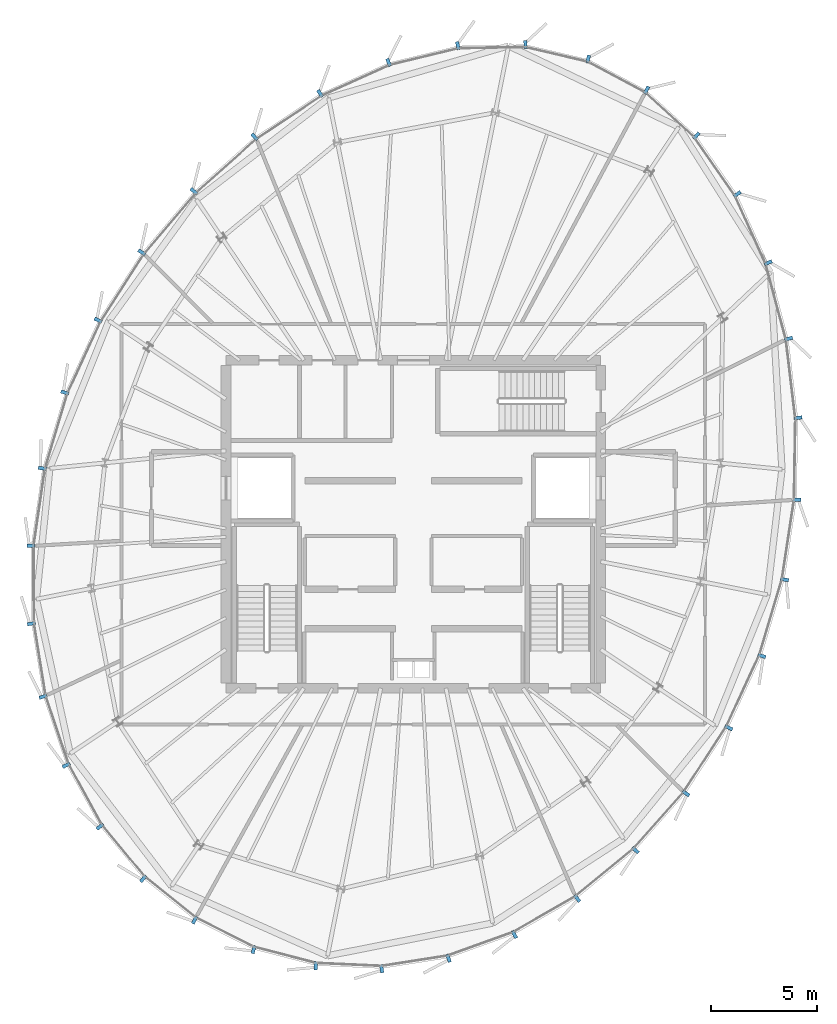
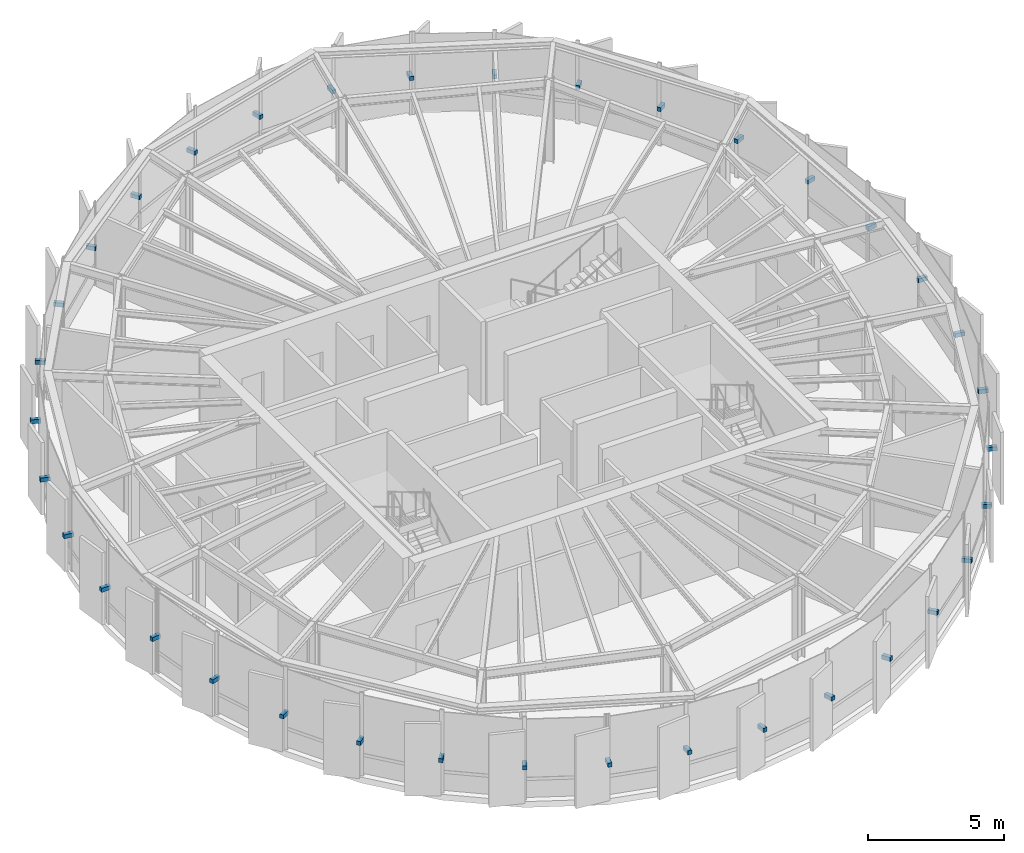
# One storey, part 24 of 27: 36 discrete accessories.
"""IFC4 building model written with IfcOpenShell, lengths in metres."""

import ifcopenshell
import ifcopenshell.guid

model = None  # the IFC model being written
_history = None  # IfcOwnerHistory: only IFC2X3 demands one
_inside = {}  # id of a spatial element -> (the spatial element, [elements in it])
_under = {}  # id of a project, library or spatial element -> (it, [spatial elements below it])
_declared = {}  # id of a project -> (the project, [libraries it declares])
_typed = {}  # id of a type object -> (the type object, [elements of that type])
_made_of = {}  # id of a material, layer set ... -> (it, [elements and type objects made of it])


def new_model(schema):
    """Start an empty IFC model of exactly this schema.

    Asked for "IFC4X3", IfcOpenShell would pick the latest addendum, in which some entities
    have other attributes; the version numbers below select the first issue.
    IFC2X3 requires an IfcOwnerHistory on every rooted entity: one is made here for all.
    """
    global model, _history
    if schema == "IFC4X3":
        model = ifcopenshell.file(schema_version=(4, 3, 0, 0))
    else:
        model = ifcopenshell.file(schema=schema)
    _inside.clear()
    _under.clear()
    _declared.clear()
    _typed.clear()
    _made_of.clear()
    _history = None
    if model.schema == "IFC2X3":
        org = make("IfcOrganization", Name="unknown")
        user = make(
            "IfcPersonAndOrganization",
            ThePerson=make("IfcPerson", FamilyName="unknown"),
            TheOrganization=org,
        )
        app = make(
            "IfcApplication",
            ApplicationDeveloper=org,
            Version="unknown",
            ApplicationFullName="unknown",
            ApplicationIdentifier="unknown",
        )
        _history = make(
            "IfcOwnerHistory",
            OwningUser=user,
            OwningApplication=app,
            ChangeAction="ADDED",
            CreationDate=0,
        )
    return model


def make(cls, **values):
    """One entity of the class cls with the attributes given. An attribute that is None is left unset."""
    return model.create_entity(
        cls, **{name: value for name, value in values.items() if value is not None}
    )


def rooted(cls, **values):
    """An entity with a GlobalId (a new one), such as an element, a storey or a relation."""
    return make(cls, GlobalId=ifcopenshell.guid.new(), OwnerHistory=_history, **values)


def si_unit(unit_type, name, prefix=None):
    """IfcSIUnit, for example si_unit("LENGTHUNIT", "METRE", prefix="MILLI")."""
    return make("IfcSIUnit", UnitType=unit_type, Prefix=prefix, Name=name)


def assignment(units):
    """IfcUnitAssignment: the units of a project."""
    return None if units is None else make("IfcUnitAssignment", Units=units)


def point(xyz):
    """IfcCartesianPoint."""
    return None if xyz is None else make("IfcCartesianPoint", Coordinates=xyz)


def direction(xyz):
    """IfcDirection."""
    return None if xyz is None else make("IfcDirection", DirectionRatios=xyz)


def frame(location, z_axis=None, x_axis=None):
    """IfcAxis2Placement3D, a coordinate frame: its origin and axes. An axis left out is left unset."""
    return make(
        "IfcAxis2Placement3D",
        Location=point(location),
        Axis=direction(z_axis),
        RefDirection=direction(x_axis),
    )


def frame_2d(location, x_axis=None):
    """IfcAxis2Placement2D, a coordinate frame in the plane: its origin and x axis."""
    return make(
        "IfcAxis2Placement2D", Location=point(location), RefDirection=direction(x_axis)
    )


def origin():
    """The frame at (0, 0, 0) with its axes left unset."""
    return frame((0.0, 0.0, 0.0))


def origin_2d():
    """The frame at (0, 0) in the plane with its x axis left unset."""
    return frame_2d((0.0, 0.0))


def place(relative_to, where):
    """IfcLocalPlacement: puts the frame where relative to a parent placement (None: the world)."""
    return make(
        "IfcLocalPlacement", PlacementRelTo=relative_to, RelativePlacement=where
    )


def context(
    kind, dimensions, precision=None, world=None, true_north=None, identifier=None
):
    """IfcGeometricRepresentationContext, for example the 3D "Model" context."""
    return make(
        "IfcGeometricRepresentationContext",
        ContextIdentifier=identifier,
        ContextType=kind,
        CoordinateSpaceDimension=dimensions,
        Precision=precision,
        WorldCoordinateSystem=world,
        TrueNorth=true_north,
    )


def subcontext(parent, identifier, kind, view, scale=None):
    """IfcGeometricRepresentationSubContext, for example "Body" below "Model"."""
    return make(
        "IfcGeometricRepresentationSubContext",
        ContextIdentifier=identifier,
        ContextType=kind,
        ParentContext=parent,
        TargetScale=scale,
        TargetView=view,
    )


def project(units=None, contexts=None):
    """IfcProject with its units and contexts."""
    return rooted(
        "IfcProject",
        Name="project",
        RepresentationContexts=contexts,
        UnitsInContext=assignment(units),
    )


def spatial(cls, under=None, at=None, **own):
    """A site, building, storey or space (cls), placed at a placement, below another one or the project."""
    s = rooted(cls, ObjectPlacement=at, **own)
    if under is not None:
        _under.setdefault(under.id(), (under, []))[1].append(s)
    return s


def profile(cls, at=None, kind="AREA", **sizes):
    """A parametric profile (cls). Its sizes go by their IFC names, for example OverallWidth=200.0."""
    return make(cls, ProfileType=kind, Position=at, **sizes)


def rectangle(**sizes):
    """IfcRectangleProfileDef."""
    return profile("IfcRectangleProfileDef", **sizes)


def extrude(swept, where, along, depth):
    """IfcExtrudedAreaSolid: the profile swept, set in the frame where, extruded along a direction by depth."""
    return make(
        "IfcExtrudedAreaSolid",
        SweptArea=swept,
        Position=where,
        ExtrudedDirection=direction(along),
        Depth=depth,
    )


def shape(context_of_items, identifier, shape_type, items):
    """IfcShapeRepresentation: the items that make up one representation, for example the "Body"."""
    return make(
        "IfcShapeRepresentation",
        ContextOfItems=context_of_items,
        RepresentationIdentifier=identifier,
        RepresentationType=shape_type,
        Items=items,
    )


def source(mapping_origin, context_of_items, identifier, shape_type, items):
    """IfcRepresentationMap: a shape defined once, which mapped items show again and again."""
    return make(
        "IfcRepresentationMap",
        MappingOrigin=mapping_origin,
        MappedRepresentation=shape(context_of_items, identifier, shape_type, items),
    )


def transform(
    local_origin,
    x_axis=None,
    y_axis=None,
    z_axis=None,
    scale=None,
    scale2=None,
    scale3=None,
    uniform=True,
):
    """IfcCartesianTransformationOperator3D, or its non-uniform kind. x_axis, y_axis, z_axis: its Axis1, 2, 3."""
    if uniform:
        return make(
            "IfcCartesianTransformationOperator3D",
            Axis1=direction(x_axis),
            Axis2=direction(y_axis),
            LocalOrigin=point(local_origin),
            Scale=scale,
            Axis3=direction(z_axis),
        )
    return make(
        "IfcCartesianTransformationOperator3DnonUniform",
        Axis1=direction(x_axis),
        Axis2=direction(y_axis),
        LocalOrigin=point(local_origin),
        Scale=scale,
        Axis3=direction(z_axis),
        Scale2=scale2,
        Scale3=scale3,
    )


def mapped(mapping_source, mapping_target):
    """IfcMappedItem: shows the shape of a source again, moved by a transform."""
    return make(
        "IfcMappedItem", MappingSource=mapping_source, MappingTarget=mapping_target
    )


def material(Name=None, Category=None):
    """IfcMaterial."""
    return make("IfcMaterial", Name=Name, Category=Category)


def made_of(thing, what):
    """Note that an element or type object is made of a material, layer set ...; save() writes the relation."""
    if what is not None:
        _made_of.setdefault(what.id(), (what, []))[1].append(thing)
    return thing


def type_object(cls, material=None, **own):
    """A type object (cls), such as IfcWallType, which elements share."""
    return made_of(rooted(cls, **own), material)


def element(
    cls,
    number,
    at=None,
    inside=None,
    cuts=None,
    type_object=None,
    material=None,
    context=None,
    identifier="Body",
    shape_type=None,
    held_by="IfcProductDefinitionShape",
    body=None,
    shapes=None,
    **own,
):
    """One element of the class cls, such as IfcWall. Its Tag is "e" and its number.

    at: its placement. inside: the storey or other place that contains it. cuts: it is an
    opening in that element (IfcRelVoidsElement). A single representation is given by context,
    identifier, shape_type and body (its items); several are given by shapes. held_by: the class
    of the entity that holds the representations. save() writes the other relations.
    """
    e = rooted(cls, Tag="e%d" % number, ObjectPlacement=at, **own)
    if body is not None:
        shapes = [shape(context, identifier, shape_type, body)]
    if shapes is not None:
        e.Representation = make(held_by, Representations=shapes)
    if inside is not None:
        _inside.setdefault(inside.id(), (inside, []))[1].append(e)
    if cuts is not None:
        rooted(
            "IfcRelVoidsElement", RelatingBuildingElement=cuts, RelatedOpeningElement=e
        )
    if type_object is not None:
        _typed.setdefault(type_object.id(), (type_object, []))[1].append(e)
    return made_of(e, material)


def aggregate(whole, parts):
    """IfcRelAggregates: a whole, such as a stair, and the parts it consists of."""
    return rooted("IfcRelAggregates", RelatingObject=whole, RelatedObjects=parts)


def save(model, path):
    """Write the relations noted so far, then the file.

    IfcRelAggregates (storeys below a building ...), IfcRelContainedInSpatialStructure (elements
    in a storey), IfcRelDefinesByType, IfcRelAssociatesMaterial and IfcRelDeclares: one each for
    every whole, place, type object, material and project.
    """
    for whole, parts in _under.values():
        aggregate(whole, parts)
    for where, things in _inside.values():
        rooted(
            "IfcRelContainedInSpatialStructure",
            RelatedElements=things,
            RelatingStructure=where,
        )
    for kind, things in _typed.values():
        rooted("IfcRelDefinesByType", RelatedObjects=things, RelatingType=kind)
    for what, things in _made_of.values():
        rooted("IfcRelAssociatesMaterial", RelatedObjects=things, RelatingMaterial=what)
    for by, libraries in _declared.values():
        rooted("IfcRelDeclares", RelatingContext=by, RelatedDefinitions=libraries)
    model.write(path)


model = new_model("IFC4")

# Units and contexts
model_context = context("Model", 3, precision=1e-05, world=origin(), true_north=direction((0.0, 1.0)))
body_context = subcontext(model_context, "Body", "Model", "MODEL_VIEW")
ifc_project = project(units=[si_unit("LENGTHUNIT", "METRE"), si_unit("AREAUNIT", "SQUARE_METRE"), si_unit("VOLUMEUNIT", "CUBIC_METRE"), si_unit("PLANEANGLEUNIT", "RADIAN"), si_unit("MASSUNIT", "GRAM", prefix="KILO"), si_unit("THERMODYNAMICTEMPERATUREUNIT", "KELVIN")], contexts=[model_context])

# Site, building, storey
site_placement = place(None, origin())
site = spatial("IfcSite", under=ifc_project, at=site_placement, CompositionType="ELEMENT")
building_placement = place(site_placement, origin())
building = spatial("IfcBuilding", under=site, at=building_placement, Name="Kethvar Cultural Tower", CompositionType="ELEMENT")
storey_placement = place(building_placement, frame((0.0, 0.0, 312.300048828125)))
storey = spatial("IfcBuildingStorey", under=building, at=storey_placement, Name="L83", CompositionType="ELEMENT", Elevation=312.300048828125)

# Discrete accessories
ifc_material = material(Name="Steel S355J2", Category="steel")
discrete_accessory_type = type_object("IfcDiscreteAccessoryType", Name="Steel Fin Bracket BRK-01", PredefinedType="BRACKET", material=ifc_material)
shared_shape = source(origin(), body_context, "Body", "SweptSolid", [
    extrude(rectangle(XDim=0.3798828125, YDim=0.159912109375, at=origin_2d()), origin(), (0.0, 0.0, 1.0), 0.179931640625),
])
for number, where, z_axis, x_axis, name in (
    (1, (55.0087890625, 49.646484375, 1.55517578125), (0.0, 0.0, 1.0), (0.228520788206, 0.9735390333, 0.0), "L83 Terracotta Fin Bracket 1.1"),
    (2, (52.065673828125, 50.3369140625, 1.55517578125), (0.0, 0.0, 1.0), (-0.018499434735, 0.999828870815, 0.0), "L83 Terracotta Fin Bracket 1.2"),
    (3, (48.8935546875, 50.278076171875, 1.55517578125), (0.0, 0.0, 1.0), (-0.235820612531, 0.971796603568, 0.0), "L83 Terracotta Fin Bracket 1.3"),
    (4, (45.64013671875, 49.48828125, 1.55517578125), (0.0, 0.0, 1.0), (-0.412309551211, 0.911043815621, 0.0), "L83 Terracotta Fin Bracket 1.4"),
    (5, (42.41845703125, 48.030029296875, 1.55517578125), (0.0, 0.0, 1.0), (-0.552664477717, 0.833403848725, 0.0), "L83 Terracotta Fin Bracket 1.5"),
    (6, (39.342529296875, 45.990234375, 1.55517578125), (0.0, 0.0, 1.0), (-0.66614204858, 0.745824893064, 0.0), "L83 Terracotta Fin Bracket 1.6"),
    (7, (36.49267578125, 43.436767578125, 1.55517578125), (0.0, 0.0, 1.0), (-0.760859180527, 0.648917026597, 0.0), "L83 Terracotta Fin Bracket 2.1"),
    (8, (34.046142578125, 40.567626953125, 1.55517578125), (0.0, 0.0, 1.0), (-0.841227797435, 0.540680860418, 0.0), "L83 Terracotta Fin Bracket 2.2"),
    (9, (31.998291015625, 37.380859375, 1.55517578125), (0.0, 0.0, 1.0), (-0.907996978683, 0.418976713794, 0.0), "L83 Terracotta Fin Bracket 2.3"),
    (10, (30.430908203125, 33.984619140625, 1.55517578125), (0.0, 0.0, 1.0), (-0.958322574465, 0.285688367405, 0.0), "L83 Terracotta Fin Bracket 2.4"),
    (11, (29.36962890625, 30.424072265625, 1.55517578125), (0.0, 0.0, 1.0), (-0.989500579088, 0.144528903632, 0.0), "L83 Terracotta Fin Bracket 2.5"),
    (12, (28.837890625, 26.783447265625, 1.55517578125), (0.0, 0.0, 1.0), (-0.999992628267, -0.003839714919, 0.0), "L83 Terracotta Fin Bracket 2.6"),
    (13, (28.85888671875, 23.132080078125, 1.55517578125), (0.0, 0.0, 1.0), (-0.98724764263, -0.159191997666, 0.0), "L83 Terracotta Fin Bracket 3.1"),
    (14, (29.411376953125, 19.704833984375, 1.55517578125), (0.0, 0.0, 1.0), (-0.947545503457, -0.319620898688, 0.0), "L83 Terracotta Fin Bracket 3.2"),
    (15, (30.4990234375, 16.4814453125, 1.55517578125), (0.0, 0.0, 1.0), (-0.876306680044, -0.481753674102, 0.0), "L83 Terracotta Fin Bracket 3.3"),
    (16, (32.08203125, 13.60205078125, 1.55517578125), (0.0, 0.0, 1.0), (-0.769733907611, -0.638364873308, 0.0), "L83 Terracotta Fin Bracket 3.4"),
    (17, (34.1123046875, 11.15380859375, 1.55517578125), (0.0, 0.0, 1.0), (-0.626603811364, -0.779337964931, 0.0), "L83 Terracotta Fin Bracket 3.5"),
    (18, (36.528564453125, 9.211669921875, 1.55517578125), (0.0, 0.0, 1.0), (-0.450721748209, -0.892664497833, 0.0), "L83 Terracotta Fin Bracket 3.6"),
    (19, (39.297607421875, 7.823486328125, 1.55517578125), (0.0, 0.0, 1.0), (-0.252238251515, -0.967665161341, 0.0), "L83 Terracotta Fin Bracket 4.1"),
    (20, (42.214111328125, 7.063720703125, 1.55517578125), (0.0, 0.0, 1.0), (-0.045362988129, -0.998970569791, 0.0), "L83 Terracotta Fin Bracket 4.2"),
    (21, (45.310791015625, 6.923095703125, 1.55517578125), (0.0, 0.0, 1.0), (0.155227659645, -0.987878724177, 0.0), "L83 Terracotta Fin Bracket 4.3"),
    (22, (48.452392578125, 7.417236328125, 1.55517578125), (0.0, 0.0, 1.0), (0.338737920245, -0.940880768954, 0.0), "L83 Terracotta Fin Bracket 4.4"),
    (23, (51.544189453125, 8.530517578125, 1.55517578125), (0.0, 0.0, 1.0), (0.499395278414, -0.866374258561, 0.0), "L83 Terracotta Fin Bracket 4.5"),
    (24, (54.491455078125, 10.229248046875, 1.55517578125), (0.0, 0.0, 1.0), (0.635269828282, -0.77229025973, 0.0), "L83 Terracotta Fin Bracket 4.6"),
    (25, (57.23291015625, 12.493408203125, 1.55517578125), (0.0, 0.0, 1.0), (0.747566290977, -0.664187202975, 0.0), "L83 Terracotta Fin Bracket 5.1"),
    (26, (59.602294921875, 15.16015625, 1.55517578125), (0.0, 0.0, 1.0), (0.837814016633, -0.545955743199, 0.0), "L83 Terracotta Fin Bracket 5.2"),
    (27, (61.610595703125, 18.24267578125, 1.55517578125), (0.0, 0.0, 1.0), (0.907777478533, -0.419452082446, 0.0), "L83 Terracotta Fin Bracket 5.3"),
    (28, (63.169189453125, 21.615478515625, 1.55517578125), (0.0, 0.0, 1.0), (0.958172857028, -0.286190104747, 0.0), "L83 Terracotta Fin Bracket 5.4"),
    (29, (64.2392578125, 25.199462890625, 1.55517578125), (0.0, 0.0, 1.0), (0.988572951285, -0.150743225348, 0.0), "L83 Terracotta Fin Bracket 5.5"),
    (30, (64.810302734375, 28.9443359375, 1.55517578125), (0.0, 0.0, 1.0), (0.999865423043, -0.016405359001, 0.0), "L83 Terracotta Fin Bracket 5.6"),
    (31, (64.867919921875, 32.79833984375, 1.55517578125), (0.0, 0.0, 1.0), (0.992903375823, 0.118923867576, 0.0), "L83 Terracotta Fin Bracket 6.1"),
    (32, (64.423095703125, 36.514404296875, 1.55517578125), (0.0, 0.0, 1.0), (0.965699596295, 0.259661875744, 0.0), "L83 Terracotta Fin Bracket 6.2"),
    (33, (63.464599609375, 40.07861328125, 1.55517578125), (0.0, 0.0, 1.0), (0.911762043577, 0.410718852613, 0.0), "L83 Terracotta Fin Bracket 6.3"),
    (34, (62.011962890625, 43.302978515625, 1.55517578125), (0.0, 0.0, 1.0), (0.819552276527, 0.573004420611, 0.0), "L83 Terracotta Fin Bracket 6.4"),
    (35, (60.09326171875, 46.047119140625, 1.55517578125), (0.0, 0.0, 1.0), (0.675075326339, 0.737748808042, 0.0), "L83 Terracotta Fin Bracket 6.5"),
    (36, (57.752197265625, 48.18896484375, 1.55517578125), (0.0, 0.0, 1.0), (0.472396941203, 0.881385914309, 0.0), "L83 Terracotta Fin Bracket 6.6"),
):
    element("IfcDiscreteAccessory", number, at=place(storey_placement, frame(where, z_axis=z_axis, x_axis=x_axis)), inside=storey, type_object=discrete_accessory_type, Name=name, PredefinedType="BRACKET", context=body_context, shape_type="MappedRepresentation", body=[
        mapped(shared_shape, transform((0.0, 0.0, 0.0), scale=1.0)),
    ])

save(model, "model.ifc")
